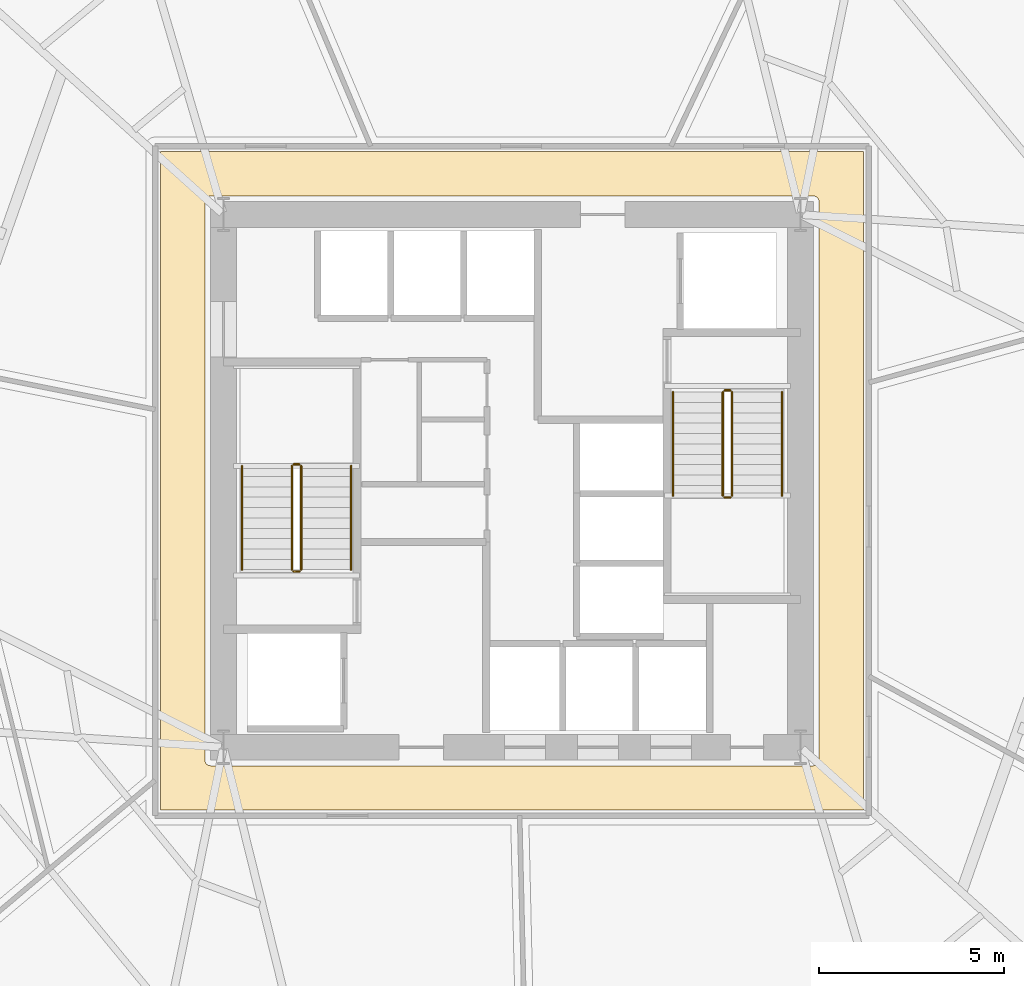
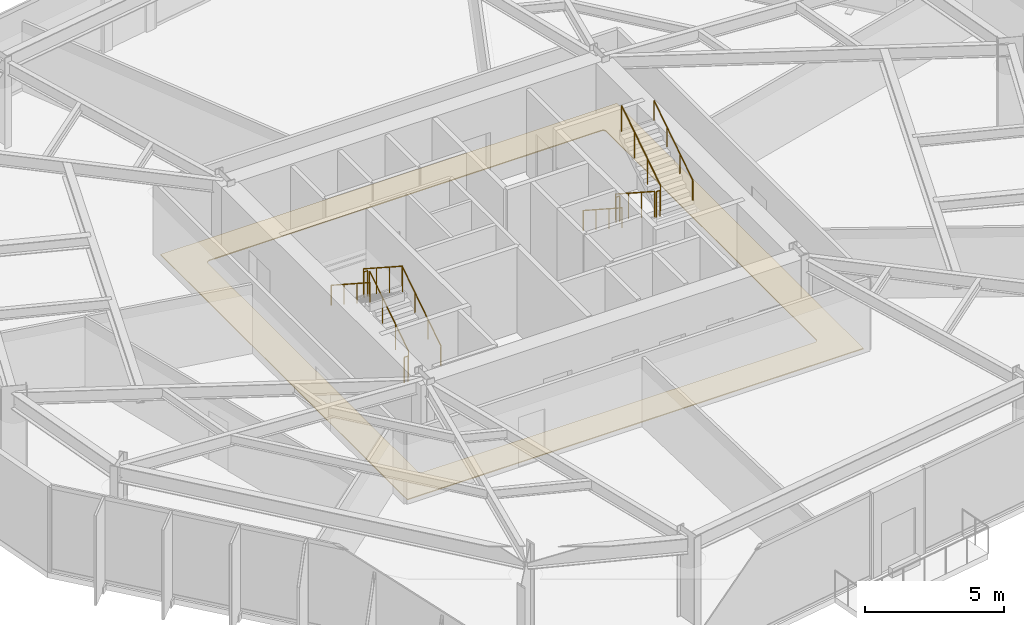
# One storey, part 9 of 10: 12 railings, 1 covering.
"""IFC4 building model written with IfcOpenShell, lengths in metres."""

from ifc_helpers import new_model, si_unit, direction, frame, origin, origin_2d, place, context, subcontext, project, spatial, polyline, circle, outline, extrude, material, layer, layer_set, type_object, element, save


model = new_model("IFC4")

# Units and contexts
model_context = context("Model", 3, precision=1e-05, world=origin(), true_north=direction((0.0, 1.0)))
body_context = subcontext(model_context, "Body", "Model", "MODEL_VIEW")
ifc_project = project(units=[si_unit("LENGTHUNIT", "METRE"), si_unit("AREAUNIT", "SQUARE_METRE"), si_unit("VOLUMEUNIT", "CUBIC_METRE"), si_unit("PLANEANGLEUNIT", "RADIAN"), si_unit("MASSUNIT", "GRAM", prefix="KILO")], contexts=[model_context])

# Site, building, storey
site_placement = place(None, origin())
site = spatial("IfcSite", under=ifc_project, at=site_placement, CompositionType="ELEMENT")
building_placement = place(site_placement, origin())
building = spatial("IfcBuilding", under=site, at=building_placement, Name="Kranzbogen Civic Tower", CompositionType="ELEMENT")
storey_placement = place(building_placement, frame((0.0, 0.0, 60.0)))
storey = spatial("IfcBuildingStorey", under=building, at=storey_placement, Name="L14", CompositionType="ELEMENT", Elevation=60.0)

# Covering
ifc_material_1 = material(Name="Honed Natural Stone Flooring", Category="masonry")
ifc_layer = layer(ifc_material_1, 0.0400390625, Name="Honed Natural Stone Flooring")
ifc_layer_set = layer_set([ifc_layer], Name="Honed Natural Stone Flooring")
covering_type = type_object("IfcCoveringType", Name="Honed Limestone Lobby Flooring 40 mm", PredefinedType="FLOORING", material=ifc_layer_set)
covering_placement = place(storey_placement, origin())
element("IfcCovering", 1, at=covering_placement, inside=storey, type_object=covering_type, Name="L14 concourse stone flooring 1", PredefinedType="FLOORING", context=body_context, shape_type="SweptSolid", body=[
    extrude(outline(polyline([(15.5, 33.89990234375), (34.5, 33.89990234375), (34.5, 16.10009765625), (15.5, 16.10009765625), (15.5, 33.89990234375)]), holes=[polyline([(33.14990234375, 32.699951171875), (33.1650390625, 32.698974609375), (33.178955078125, 32.697021484375), (33.194091796875, 32.694091796875), (33.20703125, 32.68896484375), (33.220947265625, 32.681884765625), (33.23291015625, 32.675048828125), (33.2451171875, 32.666015625), (33.256103515625, 32.656005859375), (33.26611328125, 32.64501953125), (33.27490234375, 32.633056640625), (33.281982421875, 32.62109375), (33.2890625, 32.60693359375), (33.2939453125, 32.593994140625), (33.297119140625, 32.5791015625), (33.299072265625, 32.56494140625), (33.300048828125, 32.550048828125), (33.300048828125, 17.449951171875), (33.299072265625, 17.43505859375), (33.297119140625, 17.4208984375), (33.2939453125, 17.406005859375), (33.2890625, 17.39306640625), (33.281982421875, 17.37890625), (33.27490234375, 17.366943359375), (33.26611328125, 17.35498046875), (33.256103515625, 17.343994140625), (33.2451171875, 17.333984375), (33.23291015625, 17.324951171875), (33.220947265625, 17.318115234375), (33.20703125, 17.31103515625), (33.194091796875, 17.305908203125), (33.178955078125, 17.302978515625), (33.1650390625, 17.301025390625), (33.14990234375, 17.300048828125), (16.85009765625, 17.300048828125), (16.8349609375, 17.301025390625), (16.821044921875, 17.302978515625), (16.805908203125, 17.305908203125), (16.79296875, 17.31103515625), (16.779052734375, 17.318115234375), (16.76708984375, 17.324951171875), (16.7548828125, 17.333984375), (16.743896484375, 17.343994140625), (16.73388671875, 17.35498046875), (16.72509765625, 17.366943359375), (16.718017578125, 17.37890625), (16.7109375, 17.39306640625), (16.7060546875, 17.406005859375), (16.702880859375, 17.4208984375), (16.700927734375, 17.43505859375), (16.699951171875, 17.449951171875), (16.699951171875, 32.550048828125), (16.700927734375, 32.56494140625), (16.702880859375, 32.5791015625), (16.7060546875, 32.593994140625), (16.7109375, 32.60693359375), (16.718017578125, 32.62109375), (16.72509765625, 32.633056640625), (16.73388671875, 32.64501953125), (16.743896484375, 32.656005859375), (16.7548828125, 32.666015625), (16.76708984375, 32.675048828125), (16.779052734375, 32.681884765625), (16.79296875, 32.68896484375), (16.805908203125, 32.694091796875), (16.821044921875, 32.697021484375), (16.8349609375, 32.698974609375), (16.85009765625, 32.699951171875), (33.14990234375, 32.699951171875)])]), origin(), (0.0, 0.0, 1.0), 0.0400390625),
])

# Railings
ifc_material_2 = material(Name="Steel S355", Category="steel")
railing_type_1 = type_object("IfcRailingType", Name="Internal Stair and Void Steel Guardrail 1150", PredefinedType="GUARDRAIL", material=ifc_material_2)
railing_1_placement = place(storey_placement, frame((19.300048828125, 22.60009765625, 0.181884765625)))
element("IfcRailing", 2, at=railing_1_placement, inside=storey, type_object=railing_type_1, Name="L14 ST-T1 stair guard 1", PredefinedType="GUARDRAIL", context=body_context, shape_type="SweptSolid", body=[
    extrude(circle(Radius=0.02392578125, at=origin_2d()), frame((0.0, 0.0, 1.1259765625), z_axis=(0.0, 0.83868413941, 0.544618136222), x_axis=(-1.0, 0.0, 0.0)), (0.0, 0.0, 1.0), 3.33837890625),
    extrude(circle(Radius=0.02099609375, at=origin_2d()), origin(), (0.0, 0.0, 1.0), 1.101806640625),
    extrude(circle(Radius=0.02099609375, at=origin_2d()), frame((0.0, 0.933349609375, 0.60595703125)), (0.0, 0.0, 1.0), 1.101806640625),
    extrude(circle(Radius=0.02099609375, at=origin_2d()), frame((0.0, 1.866455078125, 1.212158203125)), (0.0, 0.0, 1.0), 1.101806640625),
    extrude(circle(Radius=0.02099609375, at=origin_2d()), frame((0.0, 2.7998046875, 1.818115234375)), (0.0, 0.0, 1.0), 1.101806640625),
])
railing_2_placement = place(storey_placement, frame((19.25, 25.449951171875, 2.0)))
element("IfcRailing", 3, at=railing_2_placement, inside=storey, type_object=railing_type_1, Name="L14 ST-T1 stair guard 2", PredefinedType="GUARDRAIL", context=body_context, shape_type="SweptSolid", body=[
    extrude(circle(Radius=0.02392578125, at=origin_2d()), frame((0.0, 0.0, 1.1259765625), z_axis=(-1.0, 0.0, 0.0), x_axis=(0.0, -1.0, 0.0)), (0.0, 0.0, 1.0), 0.14990234375),
    extrude(circle(Radius=0.02099609375, at=origin_2d()), origin(), (0.0, 0.0, 1.0), 1.101806640625),
    extrude(circle(Radius=0.02099609375, at=origin_2d()), frame((-0.14990234375, 0.0, 0.0)), (0.0, 0.0, 1.0), 1.101806640625),
])
railing_3_placement = place(storey_placement, frame((19.050048828125, 25.39990234375, 2.181884765625)))
element("IfcRailing", 4, at=railing_3_placement, inside=storey, type_object=railing_type_1, Name="L14 ST-T1 stair guard 3", PredefinedType="GUARDRAIL", context=body_context, shape_type="SweptSolid", body=[
    extrude(circle(Radius=0.02392578125, at=origin_2d()), frame((0.0, 0.0, 1.1259765625), z_axis=(0.0, -0.83868413941, 0.544618136222), x_axis=(1.0, 0.0, 0.0)), (0.0, 0.0, 1.0), 3.33837890625),
    extrude(circle(Radius=0.02099609375, at=origin_2d()), origin(), (0.0, 0.0, 1.0), 1.101806640625),
    extrude(circle(Radius=0.02099609375, at=origin_2d()), frame((0.0, -0.933349609375, 0.60595703125)), (0.0, 0.0, 1.0), 1.101806640625),
    extrude(circle(Radius=0.02099609375, at=origin_2d()), frame((0.0, -1.866455078125, 1.212158203125)), (0.0, 0.0, 1.0), 1.101806640625),
    extrude(circle(Radius=0.02099609375, at=origin_2d()), frame((0.0, -2.7998046875, 1.818115234375)), (0.0, 0.0, 1.0), 1.101806640625),
])
railing_4_placement = place(storey_placement, frame((19.25, 22.550048828125, 0.0)))
element("IfcRailing", 5, at=railing_4_placement, inside=storey, type_object=railing_type_1, Name="L14 ST-T1 stair guard 4", PredefinedType="GUARDRAIL", context=body_context, shape_type="SweptSolid", body=[
    extrude(circle(Radius=0.02392578125, at=origin_2d()), frame((0.0, 0.0, 1.1259765625), z_axis=(-1.0, 0.0, 0.0), x_axis=(0.0, -1.0, 0.0)), (0.0, 0.0, 1.0), 0.14990234375),
    extrude(circle(Radius=0.02099609375, at=origin_2d()), origin(), (0.0, 0.0, 1.0), 1.101806640625),
    extrude(circle(Radius=0.02099609375, at=origin_2d()), frame((-0.14990234375, 0.0, 0.0)), (0.0, 0.0, 1.0), 1.101806640625),
])
railing_5_placement = place(storey_placement, frame((30.699951171875, 27.39990234375, 0.181884765625)))
element("IfcRailing", 6, at=railing_5_placement, inside=storey, type_object=railing_type_1, Name="L14 ST-T2 stair guard 1", PredefinedType="GUARDRAIL", context=body_context, shape_type="SweptSolid", body=[
    extrude(circle(Radius=0.02392578125, at=origin_2d()), frame((0.0, 0.0, 1.1259765625), z_axis=(0.0, -0.83868413941, 0.544618136222), x_axis=(1.0, 0.0, 0.0)), (0.0, 0.0, 1.0), 3.33837890625),
    extrude(circle(Radius=0.02099609375, at=origin_2d()), origin(), (0.0, 0.0, 1.0), 1.101806640625),
    extrude(circle(Radius=0.02099609375, at=origin_2d()), frame((0.0, -0.933349609375, 0.60595703125)), (0.0, 0.0, 1.0), 1.101806640625),
    extrude(circle(Radius=0.02099609375, at=origin_2d()), frame((0.0, -1.866455078125, 1.212158203125)), (0.0, 0.0, 1.0), 1.101806640625),
    extrude(circle(Radius=0.02099609375, at=origin_2d()), frame((0.0, -2.7998046875, 1.818115234375)), (0.0, 0.0, 1.0), 1.101806640625),
])
railing_6_placement = place(storey_placement, frame((30.75, 24.550048828125, 2.0)))
element("IfcRailing", 7, at=railing_6_placement, inside=storey, type_object=railing_type_1, Name="L14 ST-T2 stair guard 2", PredefinedType="GUARDRAIL", context=body_context, shape_type="SweptSolid", body=[
    extrude(circle(Radius=0.02392578125, at=origin_2d()), frame((0.0, 0.0, 1.1259765625), z_axis=(1.0, 0.0, 0.0), x_axis=(0.0, 1.0, 0.0)), (0.0, 0.0, 1.0), 0.14990234375),
    extrude(circle(Radius=0.02099609375, at=origin_2d()), origin(), (0.0, 0.0, 1.0), 1.101806640625),
    extrude(circle(Radius=0.02099609375, at=origin_2d()), frame((0.14990234375, 0.0, 0.0)), (0.0, 0.0, 1.0), 1.101806640625),
])
railing_7_placement = place(storey_placement, frame((30.949951171875, 24.60009765625, 2.181884765625)))
element("IfcRailing", 8, at=railing_7_placement, inside=storey, type_object=railing_type_1, Name="L14 ST-T2 stair guard 3", PredefinedType="GUARDRAIL", context=body_context, shape_type="SweptSolid", body=[
    extrude(circle(Radius=0.02392578125, at=origin_2d()), frame((0.0, 0.0, 1.1259765625), z_axis=(0.0, 0.83868413941, 0.544618136222), x_axis=(-1.0, 0.0, 0.0)), (0.0, 0.0, 1.0), 3.33837890625),
    extrude(circle(Radius=0.02099609375, at=origin_2d()), origin(), (0.0, 0.0, 1.0), 1.101806640625),
    extrude(circle(Radius=0.02099609375, at=origin_2d()), frame((0.0, 0.933349609375, 0.60595703125)), (0.0, 0.0, 1.0), 1.101806640625),
    extrude(circle(Radius=0.02099609375, at=origin_2d()), frame((0.0, 1.866455078125, 1.212158203125)), (0.0, 0.0, 1.0), 1.101806640625),
    extrude(circle(Radius=0.02099609375, at=origin_2d()), frame((0.0, 2.7998046875, 1.818115234375)), (0.0, 0.0, 1.0), 1.101806640625),
])
railing_8_placement = place(storey_placement, frame((30.75, 27.449951171875, 0.0)))
element("IfcRailing", 9, at=railing_8_placement, inside=storey, type_object=railing_type_1, Name="L14 ST-T2 stair guard 4", PredefinedType="GUARDRAIL", context=body_context, shape_type="SweptSolid", body=[
    extrude(circle(Radius=0.02392578125, at=origin_2d()), frame((0.0, 0.0, 1.1259765625), z_axis=(1.0, 0.0, 0.0), x_axis=(0.0, 1.0, 0.0)), (0.0, 0.0, 1.0), 0.14990234375),
    extrude(circle(Radius=0.02099609375, at=origin_2d()), origin(), (0.0, 0.0, 1.0), 1.101806640625),
    extrude(circle(Radius=0.02099609375, at=origin_2d()), frame((0.14990234375, 0.0, 0.0)), (0.0, 0.0, 1.0), 1.101806640625),
])
ifc_material_3 = material(Name="Pale Anodised Aluminium", Category="aluminium")
railing_type_2 = type_object("IfcRailingType", Name="Tubular Stainless Stair Wall Handrail 900", PredefinedType="HANDRAIL", material=ifc_material_3)
railing_9_placement = place(storey_placement, frame((20.64990234375, 22.60009765625, 0.181884765625)))
element("IfcRailing", 10, at=railing_9_placement, inside=storey, type_object=railing_type_2, Name="L14 ST-T1 stair handrail 1", PredefinedType="HANDRAIL", context=body_context, shape_type="SweptSolid", body=[
    extrude(circle(Radius=0.02392578125, at=origin_2d()), frame((0.0, 0.0, 0.8759765625), z_axis=(0.0, 0.83868413941, 0.544618136222), x_axis=(-1.0, 0.0, 0.0)), (0.0, 0.0, 1.0), 3.33837890625),
    extrude(circle(Radius=0.02099609375, at=origin_2d()), origin(), (0.0, 0.0, 1.0), 0.851806640625),
    extrude(circle(Radius=0.02099609375, at=origin_2d()), frame((0.0, 0.933349609375, 0.60595703125)), (0.0, 0.0, 1.0), 0.851806640625),
    extrude(circle(Radius=0.02099609375, at=origin_2d()), frame((0.0, 1.866455078125, 1.212158203125)), (0.0, 0.0, 1.0), 0.851806640625),
    extrude(circle(Radius=0.02099609375, at=origin_2d()), frame((0.0, 2.7998046875, 1.818115234375)), (0.0, 0.0, 1.0), 0.851806640625),
])
for number, where, name in (
    (11, (17.699951171875, 25.39990234375, 2.181884765625), "L14 ST-T1 stair handrail 2"),
    (12, (29.35009765625, 27.39990234375, 0.181884765625), "L14 ST-T2 stair handrail 1"),
):
    element("IfcRailing", number, at=place(storey_placement, frame(where)), inside=storey, type_object=railing_type_2, Name=name, PredefinedType="HANDRAIL", context=body_context, shape_type="SweptSolid", body=[
        extrude(circle(Radius=0.02392578125, at=origin_2d()), frame((0.0, 0.0, 0.8759765625), z_axis=(0.0, -0.83868413941, 0.544618136222), x_axis=(1.0, 0.0, 0.0)), (0.0, 0.0, 1.0), 3.33837890625),
        extrude(circle(Radius=0.02099609375, at=origin_2d()), origin(), (0.0, 0.0, 1.0), 0.851806640625),
        extrude(circle(Radius=0.02099609375, at=origin_2d()), frame((0.0, -0.933349609375, 0.60595703125)), (0.0, 0.0, 1.0), 0.851806640625),
        extrude(circle(Radius=0.02099609375, at=origin_2d()), frame((0.0, -1.866455078125, 1.212158203125)), (0.0, 0.0, 1.0), 0.851806640625),
        extrude(circle(Radius=0.02099609375, at=origin_2d()), frame((0.0, -2.7998046875, 1.818115234375)), (0.0, 0.0, 1.0), 0.851806640625),
    ])
railing_10_placement = place(storey_placement, frame((32.300048828125, 24.60009765625, 2.181884765625)))
element("IfcRailing", 13, at=railing_10_placement, inside=storey, type_object=railing_type_2, Name="L14 ST-T2 stair handrail 2", PredefinedType="HANDRAIL", context=body_context, shape_type="SweptSolid", body=[
    extrude(circle(Radius=0.02392578125, at=origin_2d()), frame((0.0, 0.0, 0.8759765625), z_axis=(0.0, 0.83868413941, 0.544618136222), x_axis=(-1.0, 0.0, 0.0)), (0.0, 0.0, 1.0), 3.33837890625),
    extrude(circle(Radius=0.02099609375, at=origin_2d()), origin(), (0.0, 0.0, 1.0), 0.851806640625),
    extrude(circle(Radius=0.02099609375, at=origin_2d()), frame((0.0, 0.933349609375, 0.60595703125)), (0.0, 0.0, 1.0), 0.851806640625),
    extrude(circle(Radius=0.02099609375, at=origin_2d()), frame((0.0, 1.866455078125, 1.212158203125)), (0.0, 0.0, 1.0), 0.851806640625),
    extrude(circle(Radius=0.02099609375, at=origin_2d()), frame((0.0, 2.7998046875, 1.818115234375)), (0.0, 0.0, 1.0), 0.851806640625),
])

save(model, "model.ifc")
